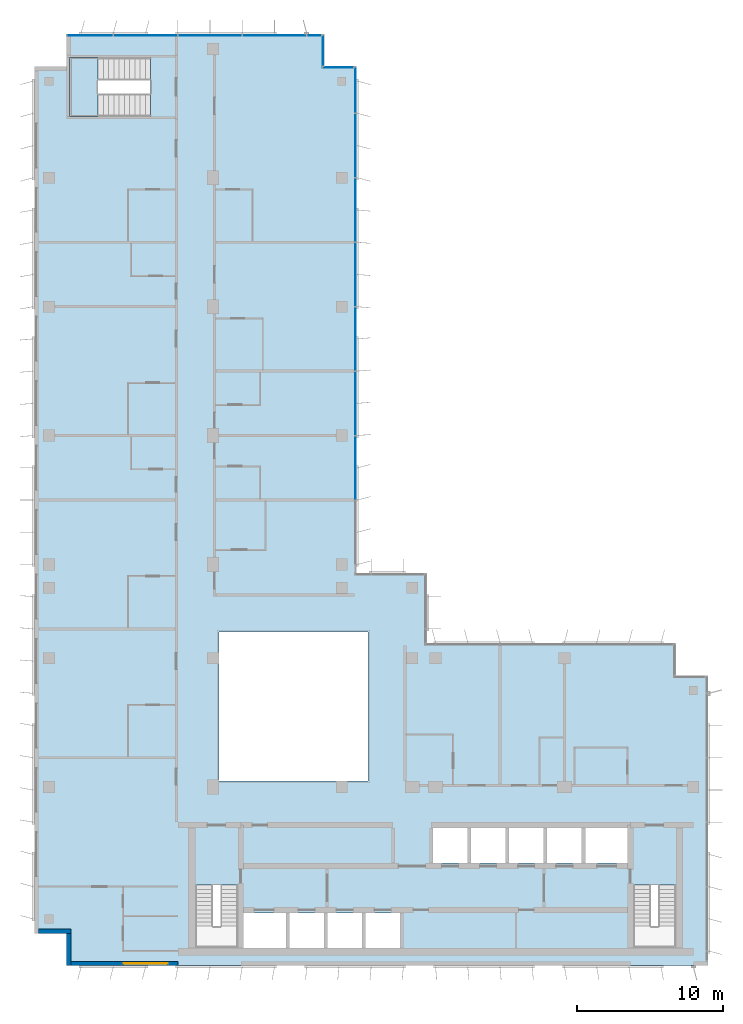
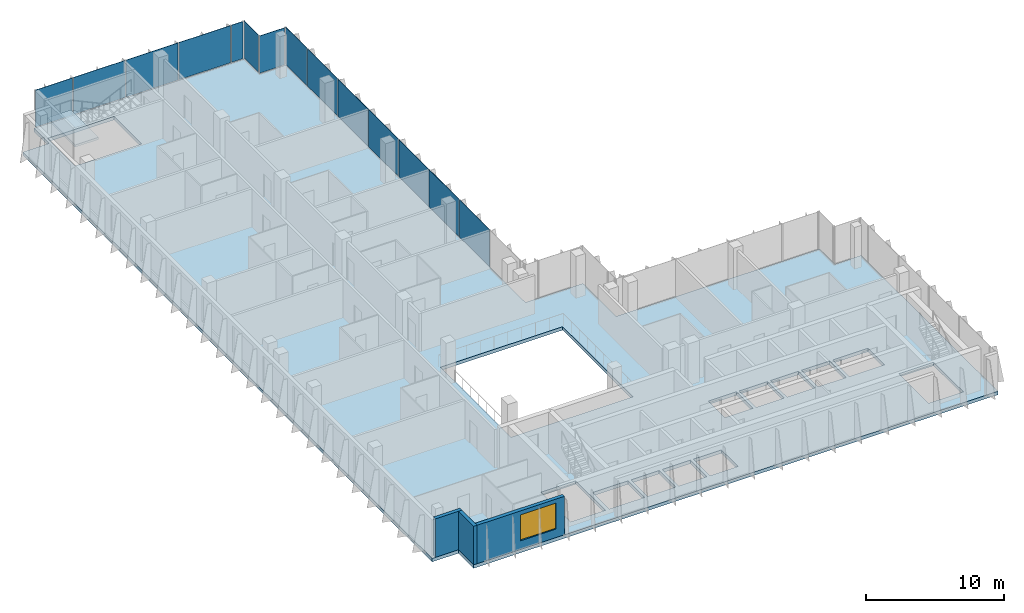
# One storey, part 8 of 15: 14 plates, 3 walls, 2 slabs, 1 window, 1 opening, 5 elements without a shape of their own.
"""IFC4 building model written with IfcOpenShell, lengths in metres."""

from ifc_helpers import new_model, si_unit, direction, frame, frame_2d, origin, origin_2d, place, context, subcontext, project, spatial, polyline, rectangle, outline, extrude, source, transform, mapped, material, layer, layer_set, type_object, element, fill, aggregate, save


model = new_model("IFC4")

# Units and contexts
model_context = context("Model", 3, precision=1e-05, world=origin(), true_north=direction((0.0, 1.0)))
body_context = subcontext(model_context, "Body", "Model", "MODEL_VIEW")
ifc_project = project(units=[si_unit("LENGTHUNIT", "METRE"), si_unit("AREAUNIT", "SQUARE_METRE"), si_unit("VOLUMEUNIT", "CUBIC_METRE"), si_unit("PLANEANGLEUNIT", "RADIAN"), si_unit("MASSUNIT", "GRAM", prefix="KILO")], contexts=[model_context])

# Site, building, storey
site_placement = place(None, origin())
site = spatial("IfcSite", under=ifc_project, at=site_placement, CompositionType="ELEMENT")
building_placement = place(site_placement, origin())
building = spatial("IfcBuilding", under=site, at=building_placement, Name="Kemantara Hotel Tower", CompositionType="ELEMENT")
storey_placement = place(building_placement, frame((0.0, 0.0, 268.5)))
storey = spatial("IfcBuildingStorey", under=building, at=storey_placement, Name="L67", CompositionType="ELEMENT", Elevation=268.5)

# Slab
ifc_material_1 = material(Name="Concrete fc 40 MPa", Category="concrete")
ifc_layer_1 = layer(ifc_material_1, 0.300048828125)
ifc_layer_set_1 = layer_set([ifc_layer_1], Name="Concrete fc 40 MPa")
slab_type_1 = type_object("IfcSlabType", Name="POST-TENSIONED FLAT PLATE 300", PredefinedType="FLOOR", material=ifc_layer_set_1)
slab_1_placement = place(storey_placement, frame((0.0, 0.0, -0.300048828125)))
element("IfcSlab", 1, at=slab_1_placement, inside=storey, type_object=slab_type_1, Name="FLOOR SLAB L67", PredefinedType="FLOOR", context=body_context, shape_type="SweptSolid", body=[
    extrude(outline(polyline([(22.0, 26.800048828125), (22.0, 61.39990234375), (19.800048828125, 61.39990234375), (19.800048828125, 63.60009765625), (2.199951171875, 63.60009765625), (2.199951171875, 61.39990234375), (0.0, 61.39990234375), (0.0, 2.199951171875), (2.199951171875, 2.199951171875), (2.199951171875, 0.0), (46.0, 0.0), (46.0, 19.800048828125), (43.800048828125, 19.800048828125), (43.800048828125, 22.0), (26.800048828125, 22.0), (26.800048828125, 26.800048828125), (22.0, 26.800048828125)]), holes=[polyline([(17.175048828125, 3.60009765625), (17.175048828125, 1.199951171875), (14.22509765625, 1.199951171875), (14.22509765625, 3.60009765625), (17.175048828125, 3.60009765625)]), polyline([(19.77490234375, 1.199951171875), (17.425048828125, 1.199951171875), (17.425048828125, 3.60009765625), (19.77490234375, 3.60009765625), (19.77490234375, 1.199951171875)]), polyline([(22.375, 1.199951171875), (20.02490234375, 1.199951171875), (20.02490234375, 3.60009765625), (22.375, 3.60009765625), (22.375, 1.199951171875)]), polyline([(24.97509765625, 3.60009765625), (24.97509765625, 1.199951171875), (22.625, 1.199951171875), (22.625, 3.60009765625), (24.97509765625, 3.60009765625)]), polyline([(11.0, 1.199951171875), (11.0, 5.49951171875), (13.89990234375, 5.49951171875), (13.89990234375, 1.199951171875), (11.0, 1.199951171875)]), polyline([(22.800048828125, 12.60009765625), (12.60009765625, 12.60009765625), (12.60009765625, 22.800048828125), (22.800048828125, 22.800048828125), (22.800048828125, 12.60009765625)]), polyline([(2.39990234375, 58.0), (2.39990234375, 62.0), (7.949462890625, 62.0), (7.949462890625, 58.0), (2.39990234375, 58.0)]), polyline([(40.89990234375, 1.199951171875), (40.89990234375, 5.49951171875), (43.800048828125, 5.49951171875), (43.800048828125, 1.199951171875), (40.89990234375, 1.199951171875)]), polyline([(29.574951171875, 7.0), (27.22509765625, 7.0), (27.22509765625, 9.39990234375), (29.574951171875, 9.39990234375), (29.574951171875, 7.0)]), polyline([(32.175048828125, 7.0), (29.824951171875, 7.0), (29.824951171875, 9.39990234375), (32.175048828125, 9.39990234375), (32.175048828125, 7.0)]), polyline([(34.77490234375, 7.0), (32.425048828125, 7.0), (32.425048828125, 9.39990234375), (34.77490234375, 9.39990234375), (34.77490234375, 7.0)]), polyline([(37.375, 7.0), (35.02490234375, 7.0), (35.02490234375, 9.39990234375), (37.375, 9.39990234375), (37.375, 7.0)]), polyline([(40.574951171875, 7.0), (37.625, 7.0), (37.625, 9.39990234375), (40.574951171875, 9.39990234375), (40.574951171875, 7.0)])]), origin(), (0.0, 0.0, 1.0), 0.300048828125),
])

# Stair, slab
stair_type = type_object("IfcStairType", Name="Stair 1550 wide 22 risers of 168 x 360 mm", PredefinedType="HALF_TURN_STAIR", material=ifc_material_1)
stair_placement = place(storey_placement, origin())
stair = element("IfcStair", 2, at=stair_placement, inside=storey, type_object=stair_type, Name="L67 Exit stair ST4", PredefinedType="HALF_TURN_STAIR")
ifc_layer_2 = layer(ifc_material_1, 0.199951171875)
ifc_layer_set_2 = layer_set([ifc_layer_2], Name="Concrete fc 40 MPa")
slab_type_2 = type_object("IfcSlabType", Name="Stair landing 200 mm", PredefinedType="LANDING", material=ifc_layer_set_2)
slab_2_placement = place(storey_placement, frame((0.0, 0.0, 1.64990234375)))
slab_2 = element("IfcSlab", 3, at=slab_2_placement, type_object=slab_type_2, Name="ST4 landing 1", PredefinedType="LANDING", context=body_context, shape_type="SweptSolid", body=[
    extrude(outline(polyline([(4.35009765625, 62.0), (2.39990234375, 62.0), (2.39990234375, 58.0), (4.35009765625, 58.0), (4.35009765625, 62.0)])), origin(), (0.0, 0.0, 1.0), 0.2001953125),
])
aggregate(stair, [slab_2])

# Curtain wall, plates
ifc_material_2 = material(Name="Low-E tinted double insulated glass 36 mm", Category="glass")
curtain_wall_type = type_object("IfcCurtainWallType", Name="TOWER CURTAIN WALL, FRONT FACES", PredefinedType="USERDEFINED", material=ifc_material_2)
curtain_wall_1_placement = place(storey_placement, origin())
curtain_wall_1 = element("IfcCurtainWall", 4, at=curtain_wall_1_placement, inside=storey, type_object=curtain_wall_type, Name="CW4 L67 T4-R02-1", ObjectType="TOWER CURTAIN WALL, FRONT FACES", PredefinedType="USERDEFINED")
ifc_layer_3 = layer(ifc_material_2, 0.035888671875)
ifc_layer_set_3 = layer_set([ifc_layer_3], Name="Low-E tinted double insulated glass 36 mm")
plate_type = type_object("IfcPlateType", Name="TOWER CURTAIN WALL, FRONT FACES PANEL", PredefinedType="CURTAIN_PANEL", material=ifc_layer_set_3)
shared_shape_1 = source(origin(), body_context, "Body", "SweptSolid", [
    extrude(rectangle(XDim=4.340087890625, YDim=0.035888671875, at=origin_2d()), origin(), (0.0, 0.0, 1.0), 3.280029296875),
])
plate_1_placement = place(storey_placement, frame((16.39990234375, 63.52490234375, 0.1201171875), z_axis=(0.0, 0.0, 1.0), x_axis=(-1.0, 0.0, 0.0)))
plate_1 = element("IfcPlate", 5, at=plate_1_placement, type_object=plate_type, Name="CW4 glass panel T4-R02-1.2", PredefinedType="CURTAIN_PANEL", context=body_context, shape_type="MappedRepresentation", body=[
    mapped(shared_shape_1, transform((0.0, 0.0, 0.0))),
])
plate_2_placement = place(storey_placement, frame((12.0, 63.52490234375, 0.1201171875), z_axis=(0.0, 0.0, 1.0), x_axis=(-1.0, 0.0, 0.0)))
plate_2 = element("IfcPlate", 6, at=plate_2_placement, type_object=plate_type, Name="CW4 glass panel T4-R02-1.3", PredefinedType="CURTAIN_PANEL", context=body_context, shape_type="MappedRepresentation", body=[
    mapped(shared_shape_1, transform((0.0, 0.0, 0.0))),
])
plate_3_placement = place(storey_placement, frame((7.60009765625, 63.52490234375, 0.1201171875), z_axis=(0.0, 0.0, 1.0), x_axis=(-1.0, 0.0, 0.0)))
plate_3 = element("IfcPlate", 7, at=plate_3_placement, type_object=plate_type, Name="CW4 glass panel T4-R02-1.4", PredefinedType="CURTAIN_PANEL", context=body_context, shape_type="MappedRepresentation", body=[
    mapped(shared_shape_1, transform((0.0, 0.0, 0.0))),
])

curtain_wall_2_placement = place(storey_placement, origin())
curtain_wall_2 = element("IfcCurtainWall", 8, at=curtain_wall_2_placement, inside=storey, type_object=curtain_wall_type, Name="CW4 L67 T4-R15-1", ObjectType="TOWER CURTAIN WALL, FRONT FACES", PredefinedType="USERDEFINED")
plate_4_placement = place(storey_placement, frame((21.925048828125, 34.0, 0.1201171875), z_axis=(0.0, 0.0, 1.0), x_axis=(0.0, 1.0, 0.0)))
plate_4 = element("IfcPlate", 9, at=plate_4_placement, type_object=plate_type, Name="CW4 glass panel T4-R15-1.3", PredefinedType="CURTAIN_PANEL", context=body_context, shape_type="MappedRepresentation", body=[
    mapped(shared_shape_1, transform((0.0, 0.0, 0.0))),
])
plate_5_placement = place(storey_placement, frame((21.925048828125, 38.39990234375, 0.1201171875), z_axis=(0.0, 0.0, 1.0), x_axis=(0.0, 1.0, 0.0)))
plate_5 = element("IfcPlate", 10, at=plate_5_placement, type_object=plate_type, Name="CW4 glass panel T4-R15-1.4", PredefinedType="CURTAIN_PANEL", context=body_context, shape_type="MappedRepresentation", body=[
    mapped(shared_shape_1, transform((0.0, 0.0, 0.0))),
])
plate_6_placement = place(storey_placement, frame((21.925048828125, 42.800048828125, 0.1201171875), z_axis=(0.0, 0.0, 1.0), x_axis=(0.0, 1.0, 0.0)))
plate_6 = element("IfcPlate", 11, at=plate_6_placement, type_object=plate_type, Name="CW4 glass panel T4-R15-1.5", PredefinedType="CURTAIN_PANEL", context=body_context, shape_type="MappedRepresentation", body=[
    mapped(shared_shape_1, transform((0.0, 0.0, 0.0))),
])
plate_7_placement = place(storey_placement, frame((21.925048828125, 47.199951171875, 0.1201171875), z_axis=(0.0, 0.0, 1.0), x_axis=(0.0, 1.0, 0.0)))
plate_7 = element("IfcPlate", 12, at=plate_7_placement, type_object=plate_type, Name="CW4 glass panel T4-R15-1.6", PredefinedType="CURTAIN_PANEL", context=body_context, shape_type="MappedRepresentation", body=[
    mapped(shared_shape_1, transform((0.0, 0.0, 0.0))),
])
plate_8_placement = place(storey_placement, frame((21.925048828125, 51.60009765625, 0.1201171875), z_axis=(0.0, 0.0, 1.0), x_axis=(0.0, 1.0, 0.0)))
plate_8 = element("IfcPlate", 13, at=plate_8_placement, type_object=plate_type, Name="CW4 glass panel T4-R15-1.7", PredefinedType="CURTAIN_PANEL", context=body_context, shape_type="MappedRepresentation", body=[
    mapped(shared_shape_1, transform((0.0, 0.0, 0.0))),
])
plate_9_placement = place(storey_placement, frame((21.925048828125, 56.0, 0.1201171875), z_axis=(0.0, 0.0, 1.0), x_axis=(0.0, 1.0, 0.0)))
plate_9 = element("IfcPlate", 14, at=plate_9_placement, type_object=plate_type, Name="CW4 glass panel T4-R15-1.8", PredefinedType="CURTAIN_PANEL", context=body_context, shape_type="MappedRepresentation", body=[
    mapped(shared_shape_1, transform((0.0, 0.0, 0.0))),
])

# Plate
shared_shape_2 = source(origin(), body_context, "Body", "SweptSolid", [
    extrude(rectangle(XDim=3.110107421875, YDim=0.035888671875, at=origin_2d()), origin(), (0.0, 0.0, 1.0), 3.280029296875),
])
plate_10_placement = place(storey_placement, frame((3.81494140625, 63.52490234375, 0.1201171875), z_axis=(0.0, 0.0, 1.0), x_axis=(-1.0, 0.0, 0.0)))
plate_10 = element("IfcPlate", 15, at=plate_10_placement, type_object=plate_type, Name="CW4 glass panel T4-R02-1.5", PredefinedType="CURTAIN_PANEL", context=body_context, shape_type="MappedRepresentation", body=[
    mapped(shared_shape_2, transform((0.0, 0.0, 0.0))),
])

plate_11_placement = place(storey_placement, frame((21.925048828125, 59.784912109375, 0.1201171875), z_axis=(0.0, 0.0, 1.0), x_axis=(0.0, 1.0, 0.0)))
plate_11 = element("IfcPlate", 16, at=plate_11_placement, type_object=plate_type, Name="CW4 glass panel T4-R15-1.9", PredefinedType="CURTAIN_PANEL", context=body_context, shape_type="MappedRepresentation", body=[
    mapped(shared_shape_2, transform((0.0, 0.0, 0.0))),
])

aggregate(curtain_wall_2, [plate_4, plate_5, plate_6, plate_7, plate_8, plate_9, plate_11])

# Curtain wall, plate
curtain_wall_3_placement = place(storey_placement, origin())
curtain_wall_3 = element("IfcCurtainWall", 17, at=curtain_wall_3_placement, inside=storey, type_object=curtain_wall_type, Name="CW4 L67 T4-R00-1", ObjectType="TOWER CURTAIN WALL, FRONT FACES", PredefinedType="USERDEFINED")
shared_shape_3 = source(origin(), body_context, "Body", "SweptSolid", [
    extrude(rectangle(XDim=2.080078125, YDim=0.035888671875, at=origin_2d()), origin(), (0.0, 0.0, 1.0), 3.280029296875),
])
plate_12_placement = place(storey_placement, frame((20.75, 61.324951171875, 0.1201171875), z_axis=(0.0, 0.0, 1.0), x_axis=(-1.0, 0.0, 0.0)))
plate_12 = element("IfcPlate", 18, at=plate_12_placement, type_object=plate_type, Name="CW4 glass panel T4-R00-1.1", PredefinedType="CURTAIN_PANEL", context=body_context, shape_type="MappedRepresentation", body=[
    mapped(shared_shape_3, transform((0.0, 0.0, 0.0))),
])
aggregate(curtain_wall_3, [plate_12])

curtain_wall_4_placement = place(storey_placement, origin())
curtain_wall_4 = element("IfcCurtainWall", 19, at=curtain_wall_4_placement, inside=storey, type_object=curtain_wall_type, Name="CW4 L67 T4-R01-1", ObjectType="TOWER CURTAIN WALL, FRONT FACES", PredefinedType="USERDEFINED")
plate_13_placement = place(storey_placement, frame((19.72509765625, 62.5, 0.1201171875), z_axis=(0.0, 0.0, 1.0), x_axis=(0.0, 1.0, 0.0)))
plate_13 = element("IfcPlate", 20, at=plate_13_placement, type_object=plate_type, Name="CW4 glass panel T4-R01-1.1", PredefinedType="CURTAIN_PANEL", context=body_context, shape_type="MappedRepresentation", body=[
    mapped(shared_shape_3, transform((0.0, 0.0, 0.0))),
])
aggregate(curtain_wall_4, [plate_13])

# Plate
shared_shape_4 = source(origin(), body_context, "Body", "SweptSolid", [
    extrude(rectangle(XDim=0.9599609375, YDim=0.035888671875, at=origin_2d()), origin(), (0.0, 0.0, 1.0), 3.280029296875),
])
plate_14_placement = place(storey_placement, frame((19.110107421875, 63.52490234375, 0.1201171875), z_axis=(0.0, 0.0, 1.0), x_axis=(-1.0, 0.0, 0.0)))
plate_14 = element("IfcPlate", 21, at=plate_14_placement, type_object=plate_type, Name="CW4 glass panel T4-R02-1.1", PredefinedType="CURTAIN_PANEL", context=body_context, shape_type="MappedRepresentation", body=[
    mapped(shared_shape_4, transform((0.0, 0.0, 0.0))),
])

aggregate(curtain_wall_1, [plate_14, plate_1, plate_2, plate_3, plate_10])

# Walls
ifc_material_3 = material(Name="Bronze anodised aluminium cladding on insulated steel stud wall", Category="steel")
ifc_layer_4 = layer(ifc_material_3, 0.300048828125)
ifc_layer_set_4 = layer_set([ifc_layer_4], Name="Bronze anodised aluminium cladding on insulated steel stud wall")
wall_type = type_object("IfcWallType", Name="BRONZE METAL-CLAD EXTERNAL WALL 300", PredefinedType="STANDARD", material=ifc_layer_set_4)
for number, where, z_axis, x_axis, name in (
    (22, (0.300048828125, 2.35009765625, 0.0), (0.0, 0.0, 1.0), (1.0, 0.0, 0.0), "EXTERNAL WALL L67 T4-R06"),
    (23, (2.35009765625, 2.199951171875, 0.0), (0.0, 0.0, 1.0), (0.0, -1.0, 0.0), "EXTERNAL WALL L67 T4-R07"),
):
    element("IfcWall", number, at=place(storey_placement, frame(where, z_axis=z_axis, x_axis=x_axis)), inside=storey, type_object=wall_type, Name=name, PredefinedType="STANDARD", context=body_context, shape_type="SweptSolid", body=[
        extrude(rectangle(XDim=2.199951171875, YDim=0.300048828125, at=frame_2d((1.10009765625, 0.0))), origin(), (0.0, 0.0, 1.0), 3.39990234375),
    ])

# Wall, opening, window
wall_placement = place(storey_placement, frame((2.5, 0.14990234375, 0.0), z_axis=(0.0, 0.0, 1.0), x_axis=(1.0, 0.0, 0.0)))
wall = element("IfcWall", 24, at=wall_placement, inside=storey, type_object=wall_type, Name="EXTERNAL WALL L67 T4-R08", PredefinedType="STANDARD", context=body_context, shape_type="SweptSolid", body=[
    extrude(rectangle(XDim=7.300048828125, YDim=0.300048828125, at=frame_2d((3.64990234375, 0.0))), origin(), (0.0, 0.0, 1.0), 3.39990234375),
])
opening_placement = place(wall_placement, frame((3.60009765625, 0.0, 0.75)))
opening = element("IfcOpeningElement", 25, at=opening_placement, cuts=wall, Name="Opening W1", PredefinedType="OPENING", context=body_context, shape_type="SweptSolid", body=[
    extrude(rectangle(XDim=3.0, YDim=2.300048828125, at=frame_2d((1.5, 1.14990234375))), frame((0.0, 0.159912109375, 0.0), z_axis=(0.0, -1.0, 0.0), x_axis=(1.0, 0.0, 0.0)), (0.0, 0.0, 1.0), 0.320068359375),
])
ifc_material_4 = material(Name="Low-E tinted double insulated glass in bronze anodised aluminium frame", Category="aluminium")
window_type = type_object("IfcWindowType", Name="CHICAGO WINDOW, TRIPLE PANEL 3000x2300", PartitioningType="TRIPLE_PANEL_VERTICAL", PredefinedType="WINDOW", material=ifc_material_4)
window_placement = place(opening_placement, origin())
window = element("IfcWindow", 26, at=window_placement, inside=storey, type_object=window_type, Name="CHICAGO WINDOW L67 T4-R08-54", OverallHeight=2.300048828125, OverallWidth=3.0, PartitioningType="SINGLE_PANEL", PredefinedType="WINDOW", context=body_context, shape_type="SweptSolid", body=[
    extrude(rectangle(XDim=3.0, YDim=2.300048828125, at=frame_2d((1.5, 1.14990234375))), frame((0.0, 0.030029296875, 0.0), z_axis=(0.0, -1.0, 0.0), x_axis=(1.0, 0.0, 0.0)), (0.0, 0.0, 1.0), 0.06005859375),
])
fill(opening, window)

save(model, "model.ifc")
